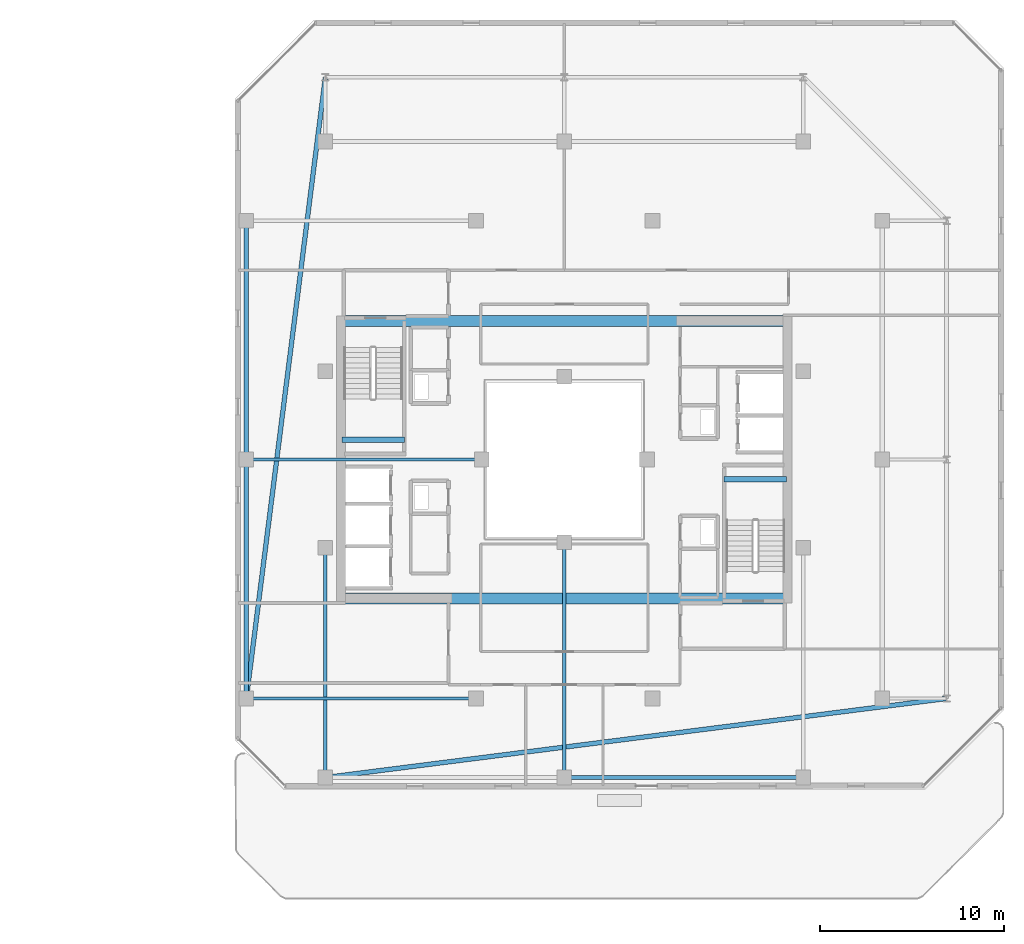
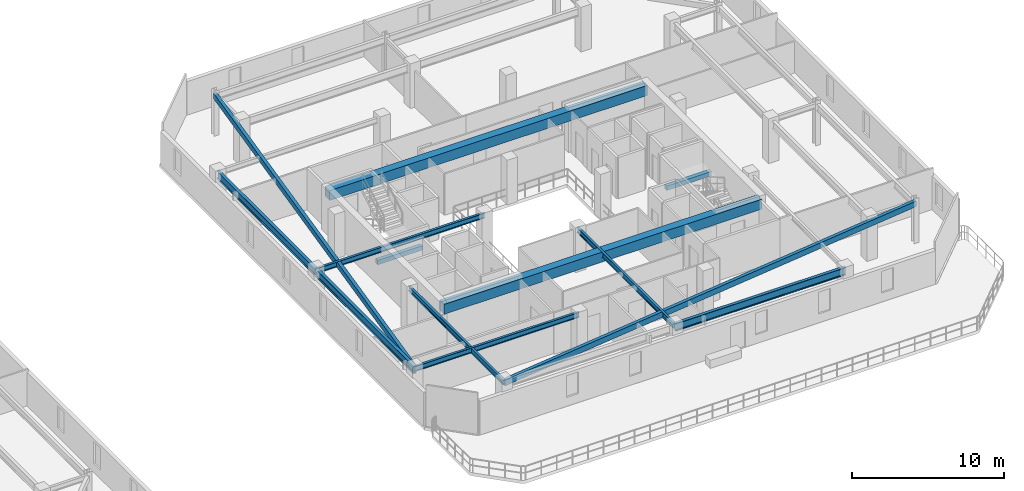
# One storey, part 11 of 31: 13 beams.
"""IFC4 building model written with IfcOpenShell, lengths in metres."""

from ifc_helpers import new_model, si_unit, direction, frame, origin, origin_2d, place, context, subcontext, project, spatial, rectangle, hollow_rectangle, i_section, extrude, material, material_profile, profile_set, type_object, element, save


model = new_model("IFC4")

# Units and contexts
model_context = context("Model", 3, precision=1e-05, world=origin(), true_north=direction((0.0, 1.0)))
body_context = subcontext(model_context, "Body", "Model", "MODEL_VIEW")
ifc_project = project(units=[si_unit("LENGTHUNIT", "METRE"), si_unit("AREAUNIT", "SQUARE_METRE"), si_unit("VOLUMEUNIT", "CUBIC_METRE"), si_unit("PLANEANGLEUNIT", "RADIAN"), si_unit("MASSUNIT", "GRAM", prefix="KILO")], contexts=[model_context])

# Site, building, storey
site_placement = place(None, origin())
site = spatial("IfcSite", under=ifc_project, at=site_placement, CompositionType="ELEMENT")
building_placement = place(site_placement, origin())
building = spatial("IfcBuilding", under=site, at=building_placement, Name="Thornwick Lancets Civic Towers", CompositionType="ELEMENT")
storey_placement = place(building_placement, frame((0.0, 0.0, 254.699951171875)))
storey = spatial("IfcBuildingStorey", under=building, at=storey_placement, Name="L68", CompositionType="ELEMENT", Elevation=254.699951171875)

# Beams
ifc_material_1 = material(Name="Concrete C60/75", Category="concrete")
ifc_material_profile_1 = material_profile(ifc_material_1, rectangle(XDim=0.60009765625, YDim=0.800048828125, at=origin_2d()), Name="RC 600x800")
ifc_profile_set_1 = profile_set([ifc_material_profile_1], Name="Concrete C60/75")
beam_type_1 = type_object("IfcBeamType", Name="BM_COUP_RC800", PredefinedType="BEAM", material=ifc_profile_set_1)
for number, where, z_axis, x_axis, name in (
    (1, (76.39990234375, 34.550048828125, 2.93994140625), (1.0, 0.0, 0.0), (0.0, 1.0, 0.0), "CB-L68-B1"),
    (2, (76.39990234375, 19.449951171875, 2.93994140625), (1.0, 0.0, 0.0), (0.0, 1.0, 0.0), "CB-L68-B2"),
):
    element("IfcBeam", number, at=place(storey_placement, frame(where, z_axis=z_axis, x_axis=x_axis)), inside=storey, type_object=beam_type_1, Name=name, PredefinedType="BEAM", context=body_context, shape_type="SweptSolid", body=[
        extrude(rectangle(XDim=0.60009765625, YDim=0.800048828125, at=origin_2d()), origin(), (0.0, 0.0, 1.0), 24.2001953125),
    ])
ifc_material_2 = material(Name="Steel S355JR", Category="steel")
ifc_material_profile_2 = material_profile(ifc_material_2, i_section(OverallWidth=0.230224609375, OverallDepth=0.6171875, WebThickness=0.01318359375, FlangeThickness=0.022216796875, FilletRadius=0.0126953125, at=origin_2d()), Name="UKB 610x229x140")
ifc_profile_set_2 = profile_set([ifc_material_profile_2], Name="Steel S355JR")
beam_type_2 = type_object("IfcBeamType", Name="BM_GIRD_610_140", PredefinedType="BEAM", material=ifc_profile_set_2)
beam_1_placement = place(storey_placement, frame((71.199951171875, 14.0, 3.031494140625), z_axis=(0.0, 1.0, 0.0), x_axis=(-1.0, 0.0, 0.0)))
element("IfcBeam", 3, at=beam_1_placement, inside=storey, type_object=beam_type_2, Name="BM-SPINE-L68-B-6-7", PredefinedType="BEAM", context=body_context, shape_type="SweptSolid", body=[
    extrude(i_section(OverallWidth=0.230224609375, OverallDepth=0.6171875, WebThickness=0.01318359375, FlangeThickness=0.022216796875, FilletRadius=0.0126953125, at=origin_2d()), origin(), (0.0, 0.0, 1.0), 13.0),
])
beam_2_placement = place(storey_placement, frame((71.199951171875, 27.080078125, 3.031494140625), z_axis=(0.0, 1.0, 0.0), x_axis=(-1.0, 0.0, 0.0)))
element("IfcBeam", 4, at=beam_2_placement, inside=storey, type_object=beam_type_2, Name="BM-SPINE-L68-B-7-8", PredefinedType="BEAM", context=body_context, shape_type="SweptSolid", body=[
    extrude(i_section(OverallWidth=0.230224609375, OverallDepth=0.6171875, WebThickness=0.01318359375, FlangeThickness=0.022216796875, FilletRadius=0.0126953125, at=origin_2d()), origin(), (0.0, 0.0, 1.0), 12.919921875),
])
beam_3_placement = place(storey_placement, frame((101.5, 9.699951171875, 3.031494140625), z_axis=(-1.0, 0.0, 0.0), x_axis=(0.0, -1.0, 0.0)))
element("IfcBeam", 5, at=beam_3_placement, inside=storey, type_object=beam_type_2, Name="BM-SPINE-L68-B-9-10", PredefinedType="BEAM", context=body_context, shape_type="SweptSolid", body=[
    extrude(i_section(OverallWidth=0.230224609375, OverallDepth=0.6171875, WebThickness=0.01318359375, FlangeThickness=0.022216796875, FilletRadius=0.0126953125, at=origin_2d()), origin(), (0.0, 0.0, 1.0), 13.0),
])
ifc_material_profile_3 = material_profile(ifc_material_2, i_section(OverallWidth=0.179443359375, OverallDepth=0.412841796875, WebThickness=0.009521484375, FlangeThickness=0.01611328125, FilletRadius=0.01025390625, at=origin_2d()), Name="UKB 406x178x74")
ifc_profile_set_3 = profile_set([ifc_material_profile_3], Name="Steel S355JR")
beam_type_3 = type_object("IfcBeamType", Name="BM_JOIST_406_74", PredefinedType="JOIST", material=ifc_profile_set_3)
beam_4_placement = place(storey_placement, frame((83.699951171875, 14.0, 3.133544921875), z_axis=(-1.0, 0.0, 0.0), x_axis=(0.0, -1.0, 0.0)))
element("IfcBeam", 6, at=beam_4_placement, inside=storey, type_object=beam_type_3, Name="BM-RADIN-L68-B07", PredefinedType="JOIST", context=body_context, shape_type="SweptSolid", body=[
    extrude(i_section(OverallWidth=0.179443359375, OverallDepth=0.412841796875, WebThickness=0.009521484375, FlangeThickness=0.01611328125, FilletRadius=0.01025390625, at=origin_2d()), origin(), (0.0, 0.0, 1.0), 12.5),
])
for number, where, z_axis, x_axis, name in (
    (7, (84.0, 27.0, 3.133544921875), (-1.0, 0.0, 0.0), (0.0, -1.0, 0.0), "BM-RADIN-L68-B08"),
    (8, (88.5, 22.5, 3.133544921875), (0.0, -1.0, 0.0), (1.0, 0.0, 0.0), "BM-RADIN-L68-B11"),
):
    element("IfcBeam", number, at=place(storey_placement, frame(where, z_axis=z_axis, x_axis=x_axis)), inside=storey, type_object=beam_type_3, Name=name, PredefinedType="JOIST", context=body_context, shape_type="SweptSolid", body=[
        extrude(i_section(OverallWidth=0.179443359375, OverallDepth=0.412841796875, WebThickness=0.009521484375, FlangeThickness=0.01611328125, FilletRadius=0.01025390625, at=origin_2d()), origin(), (0.0, 0.0, 1.0), 12.800048828125),
    ])
beam_5_placement = place(storey_placement, frame((75.5, 22.199951171875, 3.133544921875), z_axis=(0.0, -1.0, 0.0), x_axis=(1.0, 0.0, 0.0)))
element("IfcBeam", 9, at=beam_5_placement, inside=storey, type_object=beam_type_3, Name="BM-RADIN-L68-B12", PredefinedType="JOIST", context=body_context, shape_type="SweptSolid", body=[
    extrude(i_section(OverallWidth=0.179443359375, OverallDepth=0.412841796875, WebThickness=0.009521484375, FlangeThickness=0.01611328125, FilletRadius=0.01025390625, at=origin_2d()), origin(), (0.0, 0.0, 1.0), 12.5),
])
ifc_material_profile_4 = material_profile(ifc_material_2, hollow_rectangle(XDim=0.25, YDim=0.449951171875, WallThickness=0.01611328125, at=origin_2d()), Name="RHS 450x250x16")
ifc_profile_set_4 = profile_set([ifc_material_profile_4], Name="Steel S355JR")
beam_type_4 = type_object("IfcBeamType", Name="BM_RING_RHS450", PredefinedType="BEAM", material=ifc_profile_set_4)
for number, where, z_axis, x_axis, name in (
    (10, (75.5, 47.800048828125, 3.114990234375), (-0.126202998662, -0.992004437051, 0.0), (0.992004437051, -0.126202998662, 0.0), "BM-CHAMF-L68-B-C1"),
    (11, (75.5, 9.699951171875, 3.114990234375), (0.992004437051, 0.126202998662, 0.0), (-0.126202998662, 0.992004437051, 0.0), "BM-CHAMF-L68-B-C3"),
):
    element("IfcBeam", number, at=place(storey_placement, frame(where, z_axis=z_axis, x_axis=x_axis)), inside=storey, type_object=beam_type_4, Name=name, PredefinedType="BEAM", context=body_context, shape_type="SweptSolid", body=[
        extrude(hollow_rectangle(XDim=0.25, YDim=0.449951171875, WallThickness=0.01611328125, at=origin_2d()), origin(), (0.0, 0.0, 1.0), 34.072509765625),
    ])
ifc_material_3 = material(Name="Concrete C40/50", Category="concrete")
ifc_material_profile_5 = material_profile(ifc_material_3, rectangle(XDim=0.300048828125, YDim=0.35009765625, at=origin_2d()), Name="RC 300x350")
ifc_profile_set_5 = profile_set([ifc_material_profile_5], Name="Concrete C40/50")
beam_type_5 = type_object("IfcBeamType", Name="BM_STAIR_LDG", PredefinedType="BEAM", material=ifc_profile_set_5)
for number, where, z_axis, x_axis, name in (
    (12, (100.60009765625, 25.93505859375, 1.3779296875), (-1.0, 0.0, 0.0), (0.0, -1.0, 0.0), "L68 ST-B1 Landing Support Beam 1"),
    (13, (76.39990234375, 28.06494140625, 1.3779296875), (1.0, 0.0, 0.0), (0.0, 1.0, 0.0), "L68 ST-B2 Landing Support Beam 1"),
):
    element("IfcBeam", number, at=place(storey_placement, frame(where, z_axis=z_axis, x_axis=x_axis)), inside=storey, type_object=beam_type_5, Name=name, PredefinedType="BEAM", context=body_context, shape_type="SweptSolid", body=[
        extrude(rectangle(XDim=0.300048828125, YDim=0.35009765625, at=origin_2d()), origin(), (0.0, 0.0, 1.0), 3.400146484375),
    ])

save(model, "model.ifc")
